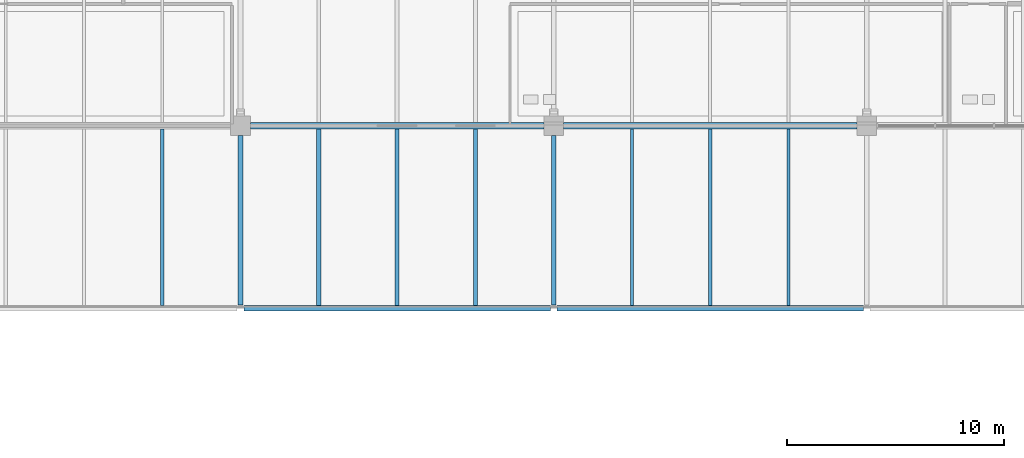
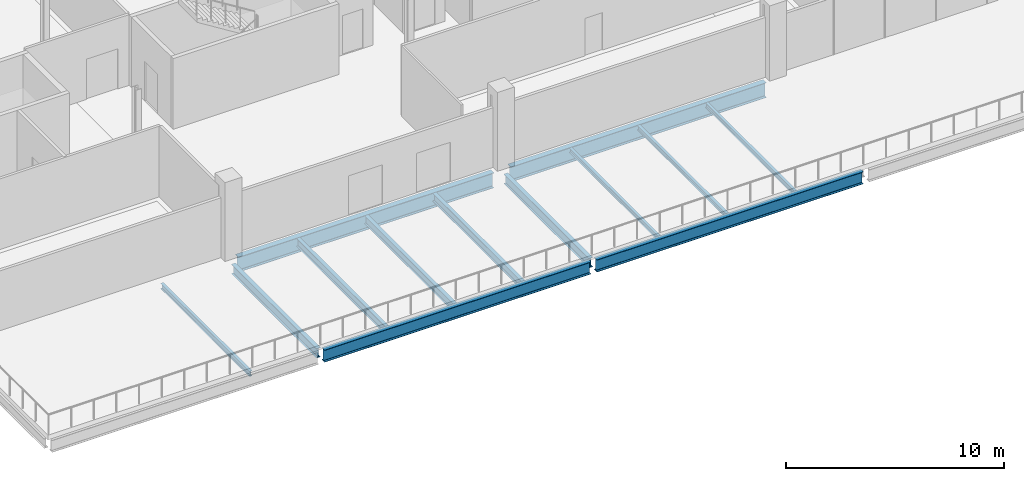
# One storey, part 43 of 93: 13 beams.
"""IFC4 building model written with IfcOpenShell, lengths in metres."""

from ifc_helpers import new_model, si_unit, direction, frame, origin, origin_2d, place, context, subcontext, project, spatial, i_section, extrude, material, material_profile, profile_set, type_object, element, save


model = new_model("IFC4")

# Units and contexts
model_context = context("Model", 3, precision=1e-05, world=origin(), true_north=direction((0.0, 1.0)))
body_context = subcontext(model_context, "Body", "Model", "MODEL_VIEW")
ifc_project = project(units=[si_unit("LENGTHUNIT", "METRE"), si_unit("AREAUNIT", "SQUARE_METRE"), si_unit("VOLUMEUNIT", "CUBIC_METRE"), si_unit("PLANEANGLEUNIT", "RADIAN"), si_unit("MASSUNIT", "GRAM", prefix="KILO"), si_unit("THERMODYNAMICTEMPERATUREUNIT", "KELVIN")], contexts=[model_context])

# Site, building, storey
site_placement = place(None, origin())
site = spatial("IfcSite", under=ifc_project, at=site_placement, CompositionType="ELEMENT")
building_placement = place(site_placement, origin())
building = spatial("IfcBuilding", under=site, at=building_placement, Name="Nduvali Passage Aquatics Centre", CompositionType="ELEMENT")
storey_placement = place(building_placement, frame((0.0, 0.0, 9.0)))
storey = spatial("IfcBuildingStorey", under=building, at=storey_placement, Name="L02", CompositionType="ELEMENT", Elevation=9.0)

# Beams
ifc_material = material(Name="Steel S355", Category="steel")
ifc_material_profile_1 = material_profile(ifc_material, i_section(OverallWidth=0.210693359375, OverallDepth=0.53955078125, WebThickness=0.01171875, FlangeThickness=0.018798828125, FilletRadius=0.0126953125, at=origin_2d()), Name="UKB 533x210x109")
ifc_profile_set_1 = profile_set([ifc_material_profile_1], Name="Steel S355")
beam_type_1 = type_object("IfcBeamType", Name="STR-BM-UKB533", PredefinedType="BEAM", material=ifc_profile_set_1)
for number, where, z_axis, x_axis, name in (
    (1, (68.39990234375, 84.160400390625, -0.53369140625), (0.0, 1.0, 0.0), (-1.0, 0.0, 0.0), "L02 Primary Y-Girder B6-0984"),
    (2, (82.800048828125, 84.160400390625, -0.53369140625), (0.0, 1.0, 0.0), (-1.0, 0.0, 0.0), "L02 Primary Y-Girder B6-0989"),
):
    element("IfcBeam", number, at=place(storey_placement, frame(where, z_axis=z_axis, x_axis=x_axis)), inside=storey, type_object=beam_type_1, Name=name, PredefinedType="BEAM", context=body_context, shape_type="SweptSolid", body=[
        extrude(i_section(OverallWidth=0.210693359375, OverallDepth=0.53955078125, WebThickness=0.01171875, FlangeThickness=0.018798828125, FilletRadius=0.0126953125, at=origin_2d()), origin(), (0.0, 0.0, 1.0), 7.78955078125),
    ])
ifc_material_profile_2 = material_profile(ifc_material, i_section(OverallWidth=0.253662109375, OverallDepth=0.68359375, WebThickness=0.012451171875, FlangeThickness=0.01904296875, FilletRadius=0.01513671875, at=origin_2d()), Name="UKB 686x254x140")
ifc_profile_set_2 = profile_set([ifc_material_profile_2], Name="Steel S355")
beam_type_2 = type_object("IfcBeamType", Name="STR-BM-UKB686", PredefinedType="BEAM", material=ifc_profile_set_2)
for number, where, z_axis, x_axis, name in (
    (3, (68.5546875, 84.0, -0.605712890625), (1.0, 0.0, 0.0), (0.0, 1.0, 0.0), "L02 Primary X-Girder B4-0915"),
    (4, (82.95458984375, 84.0, -0.605712890625), (1.0, 0.0, 0.0), (0.0, 1.0, 0.0), "L02 Primary X-Girder B4-0916"),
):
    element("IfcBeam", number, at=place(storey_placement, frame(where, z_axis=z_axis, x_axis=x_axis)), inside=storey, type_object=beam_type_2, Name=name, PredefinedType="BEAM", context=body_context, shape_type="SweptSolid", body=[
        extrude(i_section(OverallWidth=0.253662109375, OverallDepth=0.68359375, WebThickness=0.012451171875, FlangeThickness=0.01904296875, FilletRadius=0.01513671875, at=origin_2d()), origin(), (0.0, 0.0, 1.0), 14.0908203125),
    ])
ifc_material_profile_3 = material_profile(ifc_material, i_section(OverallWidth=0.29248046875, OverallDepth=0.8408203125, WebThickness=0.0146484375, FlangeThickness=0.021728515625, FilletRadius=0.017822265625, at=origin_2d()), Name="UKB 838x292x194")
ifc_profile_set_3 = profile_set([ifc_material_profile_3], Name="Steel S355")
beam_type_3 = type_object("IfcBeamType", Name="STR-BM-UKB838-EXT", PredefinedType="BEAM", material=ifc_profile_set_3)
for number, where, z_axis, x_axis, name in (
    (5, (68.85009765625, 92.39990234375, -0.684326171875), (1.0, 0.0, 0.0), (0.0, 1.0, 0.0), "L02 Primary X-Girder B4BE-0925"),
    (6, (83.25, 92.39990234375, -0.684326171875), (1.0, 0.0, 0.0), (0.0, 1.0, 0.0), "L02 Primary X-Girder B4BE-0926"),
):
    element("IfcBeam", number, at=place(storey_placement, frame(where, z_axis=z_axis, x_axis=x_axis)), inside=storey, type_object=beam_type_3, Name=name, PredefinedType="BEAM", context=body_context, shape_type="SweptSolid", body=[
        extrude(i_section(OverallWidth=0.29248046875, OverallDepth=0.8408203125, WebThickness=0.0146484375, FlangeThickness=0.021728515625, FilletRadius=0.017822265625, at=origin_2d()), origin(), (0.0, 0.0, 1.0), 13.5),
    ])
ifc_material_profile_4 = material_profile(ifc_material, i_section(OverallWidth=0.14990234375, OverallDepth=0.300048828125, WebThickness=0.007080078125, FlangeThickness=0.0107421875, FilletRadius=0.014892578125, at=origin_2d()), Name="IPE 300")
ifc_profile_set_4 = profile_set([ifc_material_profile_4], Name="Steel S355")
beam_type_4 = type_object("IfcBeamType", Name="STR-JST-IPE300", PredefinedType="JOIST", material=ifc_profile_set_4)
beam_placement = place(storey_placement, frame((64.800048828125, 84.126708984375, -0.4140625), z_axis=(0.0, 1.0, 0.0), x_axis=(-1.0, 0.0, 0.0)))
element("IfcBeam", 7, at=beam_placement, inside=storey, type_object=beam_type_4, Name="L02 Secondary Joist J7-1142", PredefinedType="JOIST", context=body_context, shape_type="SweptSolid", body=[
    extrude(i_section(OverallWidth=0.14990234375, OverallDepth=0.300048828125, WebThickness=0.007080078125, FlangeThickness=0.0107421875, FilletRadius=0.014892578125, at=origin_2d()), origin(), (0.0, 0.0, 1.0), 8.127197265625),
])
ifc_material_profile_5 = material_profile(ifc_material, i_section(OverallWidth=0.18994140625, OverallDepth=0.449951171875, WebThickness=0.009521484375, FlangeThickness=0.0146484375, FilletRadius=0.02099609375, at=origin_2d()), Name="IPE 450")
ifc_profile_set_5 = profile_set([ifc_material_profile_5], Name="Steel S355")
beam_type_5 = type_object("IfcBeamType", Name="STR-JST-IPE450", PredefinedType="JOIST", material=ifc_profile_set_5)
for number, where, z_axis, x_axis, name in (
    (8, (72.0, 84.126708984375, -0.489013671875), (0.0, 1.0, 0.0), (-1.0, 0.0, 0.0), "L02 Secondary Joist J5B-1143"),
    (9, (75.60009765625, 84.126708984375, -0.489013671875), (0.0, 1.0, 0.0), (-1.0, 0.0, 0.0), "L02 Secondary Joist J5B-1144"),
    (10, (79.199951171875, 84.126708984375, -0.489013671875), (0.0, 1.0, 0.0), (-1.0, 0.0, 0.0), "L02 Secondary Joist J5B-1145"),
):
    element("IfcBeam", number, at=place(storey_placement, frame(where, z_axis=z_axis, x_axis=x_axis)), inside=storey, type_object=beam_type_5, Name=name, PredefinedType="JOIST", context=body_context, shape_type="SweptSolid", body=[
        extrude(i_section(OverallWidth=0.18994140625, OverallDepth=0.449951171875, WebThickness=0.009521484375, FlangeThickness=0.0146484375, FilletRadius=0.02099609375, at=origin_2d()), origin(), (0.0, 0.0, 1.0), 8.127197265625),
    ])
ifc_material_profile_6 = material_profile(ifc_material, i_section(OverallWidth=0.146484375, OverallDepth=0.256103515625, WebThickness=0.00634765625, FlangeThickness=0.010986328125, FilletRadius=0.007568359375, at=origin_2d()), Name="UKB 254x146x37")
ifc_profile_set_6 = profile_set([ifc_material_profile_6], Name="Steel S355")
beam_type_6 = type_object("IfcBeamType", Name="STR-JST-UKB254", PredefinedType="JOIST", material=ifc_profile_set_6)
for number, where, z_axis, x_axis, name in (
    (11, (86.39990234375, 84.126708984375, -0.39208984375), (0.0, 1.0, 0.0), (-1.0, 0.0, 0.0), "L02 Secondary Joist J4-1146"),
    (12, (90.0, 84.126708984375, -0.39208984375), (0.0, 1.0, 0.0), (-1.0, 0.0, 0.0), "L02 Secondary Joist J4-1147"),
    (13, (93.60009765625, 84.126708984375, -0.39208984375), (0.0, 1.0, 0.0), (-1.0, 0.0, 0.0), "L02 Secondary Joist J4-1148"),
):
    element("IfcBeam", number, at=place(storey_placement, frame(where, z_axis=z_axis, x_axis=x_axis)), inside=storey, type_object=beam_type_6, Name=name, PredefinedType="JOIST", context=body_context, shape_type="SweptSolid", body=[
        extrude(i_section(OverallWidth=0.146484375, OverallDepth=0.256103515625, WebThickness=0.00634765625, FlangeThickness=0.010986328125, FilletRadius=0.007568359375, at=origin_2d()), origin(), (0.0, 0.0, 1.0), 8.127197265625),
    ])

save(model, "model.ifc")
